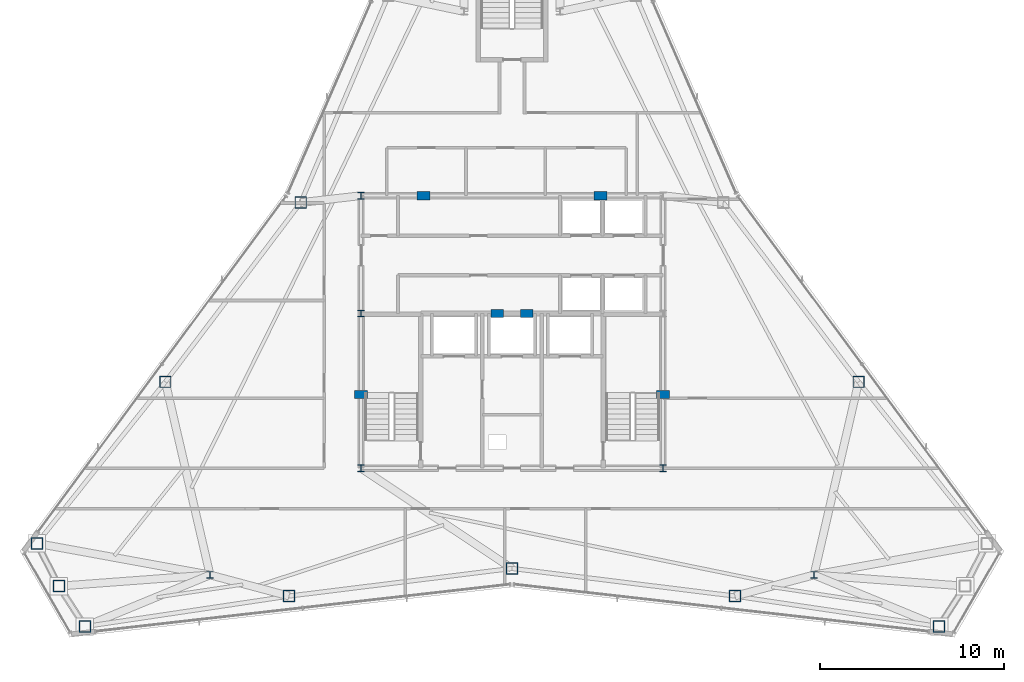
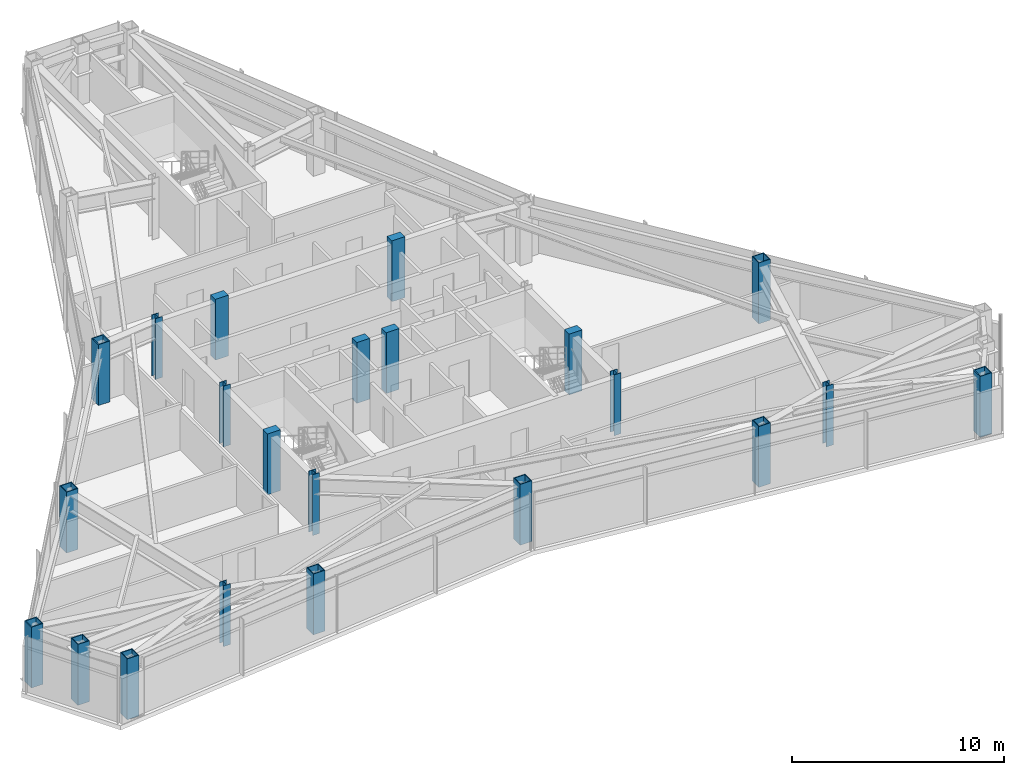
# One storey, part 1 of 12: 22 columns.
"""IFC4 building model written with IfcOpenShell, lengths in metres."""

from ifc_helpers import new_model, si_unit, direction, frame, origin, origin_2d, place, context, subcontext, project, spatial, rectangle, hollow_rectangle, i_section, extrude, material, material_profile, profile_set, type_object, element, save


model = new_model("IFC4")

# Units and contexts
model_context = context("Model", 3, precision=1e-05, world=origin(), true_north=direction((0.0, 1.0)))
body_context = subcontext(model_context, "Body", "Model", "MODEL_VIEW")
ifc_project = project(units=[si_unit("LENGTHUNIT", "METRE"), si_unit("AREAUNIT", "SQUARE_METRE"), si_unit("VOLUMEUNIT", "CUBIC_METRE"), si_unit("PLANEANGLEUNIT", "RADIAN"), si_unit("MASSUNIT", "GRAM", prefix="KILO")], contexts=[model_context])

# Site, building, storey
site_placement = place(None, origin())
site = spatial("IfcSite", under=ifc_project, at=site_placement, CompositionType="ELEMENT")
building_placement = place(site_placement, origin())
building = spatial("IfcBuilding", under=site, at=building_placement, Name="Varakhsha Concourse Tower", CompositionType="ELEMENT")
storey_placement = place(building_placement, frame((0.0, 0.0, 276.0)))
storey = spatial("IfcBuildingStorey", under=building, at=storey_placement, Name="L78", CompositionType="ELEMENT", Elevation=276.0)

# Columns
ifc_material_1 = material(Name="Structural Steel ASTM A992 Grade 50", Category="steel")
ifc_material_profile_1 = material_profile(ifc_material_1, i_section(OverallWidth=0.3740234375, OverallDepth=0.3720703125, WebThickness=0.01611328125, FlangeThickness=0.02587890625, at=origin_2d()), Name="W14X132")
ifc_profile_set_1 = profile_set([ifc_material_profile_1], Name="Structural Steel ASTM A992 Grade 50")
column_type_1 = type_object("IfcColumnType", Name="CL-CORE-W14X132", PredefinedType="COLUMN", material=ifc_profile_set_1)
for number, where, z_axis, x_axis, name in (
    (1, (31.800048828125, 16.39990234375, 0.0), (0.0, 0.0, 1.0), (1.0, 0.0, 0.0), "L78 Core Column CC-SW"),
    (2, (48.199951171875, 16.39990234375, 0.0), (0.0, 0.0, 1.0), (1.0, 0.0, 0.0), "L78 Core Column CC-SE"),
    (3, (31.800048828125, 24.800048828125, 0.0), (0.0, 0.0, 1.0), (1.0, 0.0, 0.0), "L78 Core Column CC-MW"),
    (4, (31.800048828125, 31.199951171875, 0.0), (0.0, 0.0, 1.0), (1.0, 0.0, 0.0), "L78 Core Column CC-NW"),
    (5, (23.60009765625, 10.60009765625, 0.0), (0.0, 0.0, 1.0), (1.0, 0.0, 0.0), "L78 Core Column SS-W"),
    (6, (56.39990234375, 10.60009765625, 0.0), (0.0, 0.0, 1.0), (1.0, 0.0, 0.0), "L78 Core Column SS-E"),
):
    element("IfcColumn", number, at=place(storey_placement, frame(where, z_axis=z_axis, x_axis=x_axis)), inside=storey, type_object=column_type_1, Name=name, PredefinedType="COLUMN", context=body_context, shape_type="SweptSolid", body=[
        extrude(i_section(OverallWidth=0.3740234375, OverallDepth=0.3720703125, WebThickness=0.01611328125, FlangeThickness=0.02587890625, at=origin_2d()), origin(), (0.0, 0.0, 1.0), 3.5),
    ])
ifc_material_2 = material(Name="Concrete fc 65 MPa", Category="concrete")
ifc_material_profile_2 = material_profile(ifc_material_2, rectangle(XDim=0.699951171875, YDim=0.449951171875, at=origin_2d()), Name="RC 700x450")
ifc_profile_set_2 = profile_set([ifc_material_profile_2], Name="Concrete fc 65 MPa")
column_type_2 = type_object("IfcColumnType", Name="CL-PIL-700X450", PredefinedType="PILASTER", material=ifc_profile_set_2)
for number, where, z_axis, x_axis, name in (
    (7, (31.800048828125, 20.39990234375, 0.0), (0.0, 0.0, 1.0), (1.0, 0.0, 0.0), "L78 Core Boundary Pilaster PIL-W1"),
    (8, (48.199951171875, 20.39990234375, 0.0), (0.0, 0.0, 1.0), (1.0, 0.0, 0.0), "L78 Core Boundary Pilaster PIL-E1"),
    (9, (35.199951171875, 31.199951171875, 0.0), (0.0, 0.0, 1.0), (1.0, 0.0, 0.0), "L78 Core Boundary Pilaster PIL-N1"),
    (10, (44.800048828125, 31.199951171875, 0.0), (0.0, 0.0, 1.0), (1.0, 0.0, 0.0), "L78 Core Boundary Pilaster PIL-N2"),
    (11, (39.199951171875, 24.800048828125, 0.0), (0.0, 0.0, 1.0), (1.0, 0.0, 0.0), "L78 Core Boundary Pilaster PIL-M1"),
    (12, (40.800048828125, 24.800048828125, 0.0), (0.0, 0.0, 1.0), (1.0, 0.0, 0.0), "L78 Core Boundary Pilaster PIL-M2"),
):
    element("IfcColumn", number, at=place(storey_placement, frame(where, z_axis=z_axis, x_axis=x_axis)), inside=storey, type_object=column_type_2, Name=name, PredefinedType="PILASTER", context=body_context, shape_type="SweptSolid", body=[
        extrude(rectangle(XDim=0.699951171875, YDim=0.449951171875, at=origin_2d()), origin(), (0.0, 0.0, 1.0), 3.5),
    ])
ifc_material_3 = material(Name="Structural Steel ASTM A572 Grade 50", Category="steel")
ifc_material_profile_3 = material_profile(ifc_material_3, hollow_rectangle(XDim=0.639892578125, YDim=0.639892578125, WallThickness=0.044921875, at=origin_2d()), Name="BOX 640x640x45")
ifc_profile_set_3 = profile_set([ifc_material_profile_3], Name="Structural Steel ASTM A572 Grade 50")
column_type_3 = type_object("IfcColumnType", Name="CL-TUBE-640", PredefinedType="COLUMN", material=ifc_profile_set_3)
for number, where, z_axis, x_axis, name in (
    (13, (28.528076171875, 30.8232421875, 0.0), (0.0, 0.0, 1.0), (1.0, 0.0, 0.0), "L78 Framed-Tube Column TC05"),
    (14, (21.172607421875, 21.08642578125, 0.0), (0.0, 0.0, 1.0), (1.0, 0.0, 0.0), "L78 Framed-Tube Column TC06"),
    (15, (14.197509765625, 12.313232421875, 0.0), (0.0, 0.0, 1.0), (1.0, 0.0, 0.0), "L78 Framed-Tube Column TC07"),
    (16, (15.390380859375, 9.99169921875, 0.0), (0.0, 0.0, 1.0), (1.0, 0.0, 0.0), "L78 Framed-Tube Column TC08"),
    (17, (16.8046875, 7.797607421875, 0.0), (0.0, 0.0, 1.0), (1.0, 0.0, 0.0), "L78 Framed-Tube Column TC09"),
    (18, (27.889892578125, 9.45166015625, 0.0), (0.0, 0.0, 1.0), (1.0, 0.0, 0.0), "L78 Framed-Tube Column TC10"),
    (19, (40.0, 10.953369140625, 0.0), (0.0, 0.0, 1.0), (1.0, 0.0, 0.0), "L78 Framed-Tube Column TC11"),
    (20, (52.110107421875, 9.45166015625, 0.0), (0.0, 0.0, 1.0), (1.0, 0.0, 0.0), "L78 Framed-Tube Column TC12"),
    (21, (63.1953125, 7.797607421875, 0.0), (0.0, 0.0, 1.0), (1.0, 0.0, 0.0), "L78 Framed-Tube Column TC13"),
    (22, (58.827392578125, 21.08642578125, 0.0), (0.0, 0.0, 1.0), (1.0, 0.0, 0.0), "L78 Framed-Tube Column TC16"),
):
    element("IfcColumn", number, at=place(storey_placement, frame(where, z_axis=z_axis, x_axis=x_axis)), inside=storey, type_object=column_type_3, Name=name, PredefinedType="COLUMN", context=body_context, shape_type="SweptSolid", body=[
        extrude(hollow_rectangle(XDim=0.639892578125, YDim=0.639892578125, WallThickness=0.044921875, at=origin_2d()), origin(), (0.0, 0.0, 1.0), 3.5),
    ])

save(model, "model.ifc")
